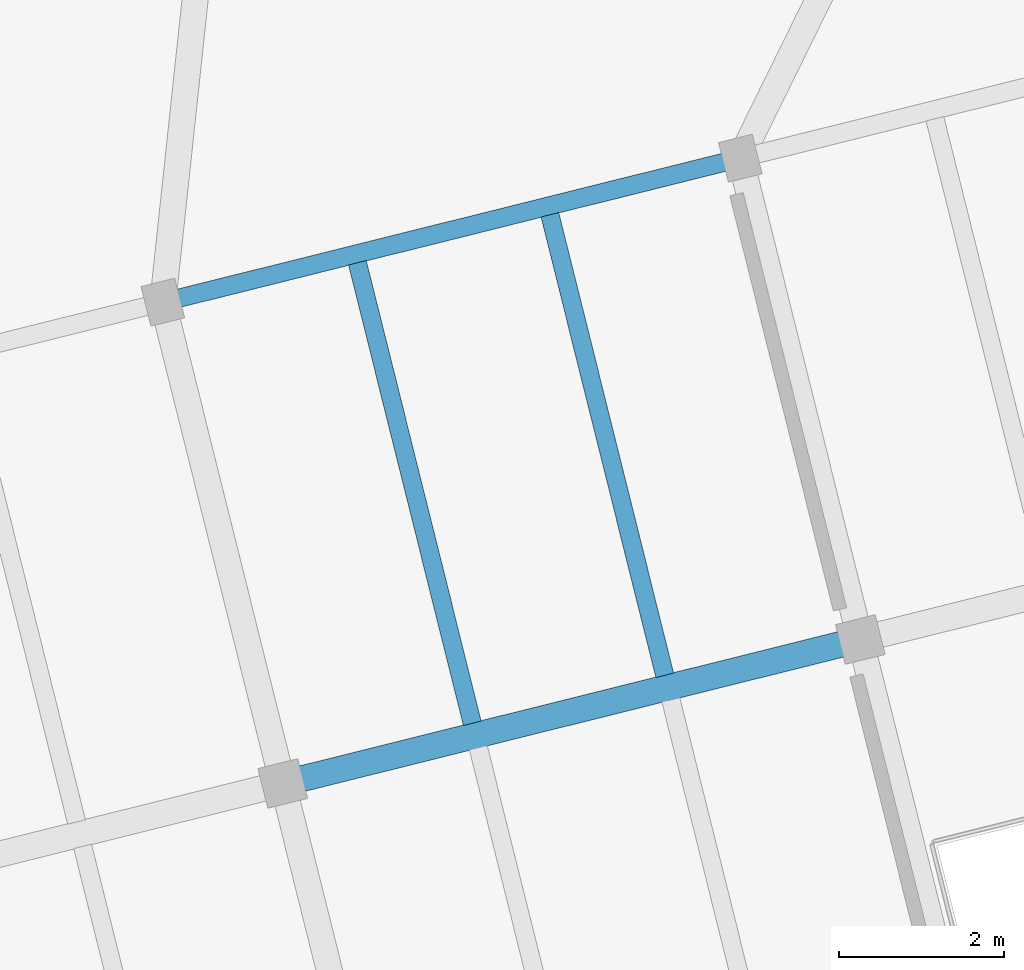
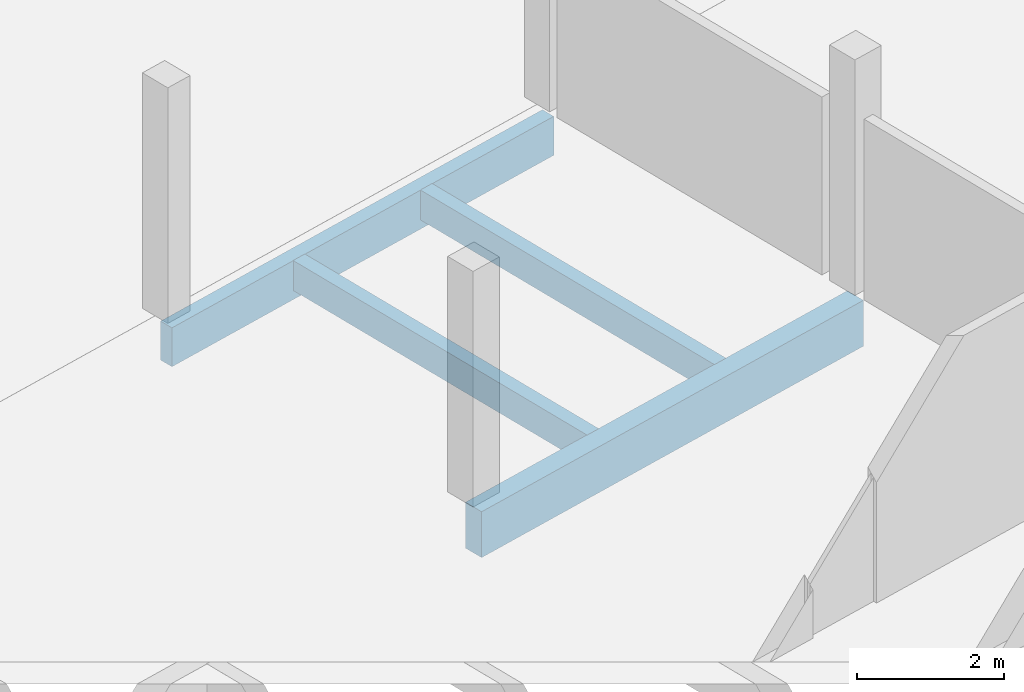
# One storey, part 23 of 39: 4 beams.
"""IFC4 building model written with IfcOpenShell, lengths in metres."""

from ifc_helpers import new_model, si_unit, direction, frame, origin, origin_2d, place, context, subcontext, project, spatial, rectangle, extrude, material, material_profile, profile_set, type_object, element, save


model = new_model("IFC4")

# Units and contexts
model_context = context("Model", 3, precision=1e-05, world=origin(), true_north=direction((0.0, 1.0)))
body_context = subcontext(model_context, "Body", "Model", "MODEL_VIEW")
ifc_project = project(units=[si_unit("LENGTHUNIT", "METRE"), si_unit("AREAUNIT", "SQUARE_METRE"), si_unit("VOLUMEUNIT", "CUBIC_METRE"), si_unit("PLANEANGLEUNIT", "RADIAN"), si_unit("MASSUNIT", "GRAM", prefix="KILO")], contexts=[model_context])

# Site, building, storey
site_placement = place(None, origin())
site = spatial("IfcSite", under=ifc_project, at=site_placement, CompositionType="ELEMENT")
building_placement = place(site_placement, origin())
building = spatial("IfcBuilding", under=site, at=building_placement, Name="Meriwether Solvik Hall", CompositionType="ELEMENT")
storey_placement = place(building_placement, frame((0.0, 0.0, 22.199951171875)))
storey = spatial("IfcBuildingStorey", under=building, at=storey_placement, Name="L05", CompositionType="ELEMENT", Elevation=22.199951171875)

# Beams
ifc_material_1 = material(Name="Glulam Douglas-Fir 24F-V8 GL28h", Category="wood")
ifc_material_profile_1 = material_profile(ifc_material_1, rectangle(XDim=0.221923828125, YDim=0.64501953125, at=origin_2d()), Name="GLB-222X645")
ifc_profile_set_1 = profile_set([ifc_material_profile_1], Name="Glulam Douglas-Fir 24F-V8 GL28h")
beam_type_1 = type_object("IfcBeamType", Name="BM-GL-222X645", PredefinedType="SPANDREL", material=ifc_profile_set_1)
beam_1_placement = place(storey_placement, frame((67.7490234375, 76.028564453125, -0.5673828125), z_axis=(0.970291911955, 0.241937193493, 0.0), x_axis=(-0.241937193493, 0.970291911955, 0.0)))
element("IfcBeam", 1, at=beam_1_placement, inside=storey, type_object=beam_type_1, Name="Tower Girder TF:T2-T3 (L05)", PredefinedType="SPANDREL", context=body_context, shape_type="SweptSolid", body=[
    extrude(rectangle(XDim=0.221923828125, YDim=0.64501953125, at=origin_2d()), origin(), (0.0, 0.0, 1.0), 7.199951171875),
])
ifc_material_2 = material(Name="Glulam Douglas-Fir 24F-V8 GL28h", Category="wood")
ifc_material_profile_2 = material_profile(ifc_material_2, rectangle(XDim=0.31494140625, YDim=0.760009765625, at=origin_2d()), Name="GLB-315X760")
ifc_profile_set_2 = profile_set([ifc_material_profile_2], Name="Glulam Douglas-Fir 24F-V8 GL28h")
beam_type_2 = type_object("IfcBeamType", Name="BM-GL-315X760", PredefinedType="BEAM", material=ifc_profile_set_2)
beam_2_placement = place(storey_placement, frame((69.200439453125, 70.206787109375, -0.625), z_axis=(0.970291911955, 0.241937193493, 0.0), x_axis=(-0.241937193493, 0.970291911955, 0.0)))
element("IfcBeam", 2, at=beam_2_placement, inside=storey, type_object=beam_type_2, Name="Tower Girder TE:T2-T3 (L05)", PredefinedType="BEAM", context=body_context, shape_type="SweptSolid", body=[
    extrude(rectangle(XDim=0.31494140625, YDim=0.760009765625, at=origin_2d()), origin(), (0.0, 0.0, 1.0), 7.199951171875),
])
ifc_material_3 = material(Name="Glulam Douglas-Fir 24F-V8 GL28h", Category="wood")
ifc_material_profile_3 = material_profile(ifc_material_3, rectangle(XDim=0.221923828125, YDim=0.4951171875, at=origin_2d()), Name="GLJ-222X495")
ifc_profile_set_3 = profile_set([ifc_material_profile_3], Name="Glulam Douglas-Fir 24F-V8 GL28h")
beam_type_3 = type_object("IfcBeamType", Name="JST-GL-222X495", PredefinedType="JOIST", material=ifc_profile_set_3)
for number, where, z_axis, x_axis, name in (
    (3, (71.4921875, 70.935546875, -0.492431640625), (-0.241915235082, 0.970297386905, 0.0), (-0.970297386905, -0.241915235082, 0.0), "Glulam Floor Joist T2/TE-J1 (L05)"),
    (4, (73.821044921875, 71.51611328125, -0.492431640625), (-0.241955269204, 0.970287404692, 0.0), (-0.970287404692, -0.241955269204, 0.0), "Glulam Floor Joist T2/TE-J2 (L05)"),
):
    element("IfcBeam", number, at=place(storey_placement, frame(where, z_axis=z_axis, x_axis=x_axis)), inside=storey, type_object=beam_type_3, Name=name, PredefinedType="JOIST", context=body_context, shape_type="SweptSolid", body=[
        extrude(rectangle(XDim=0.221923828125, YDim=0.4951171875, at=origin_2d()), origin(), (0.0, 0.0, 1.0), 5.741455078125),
    ])

save(model, "model.ifc")
